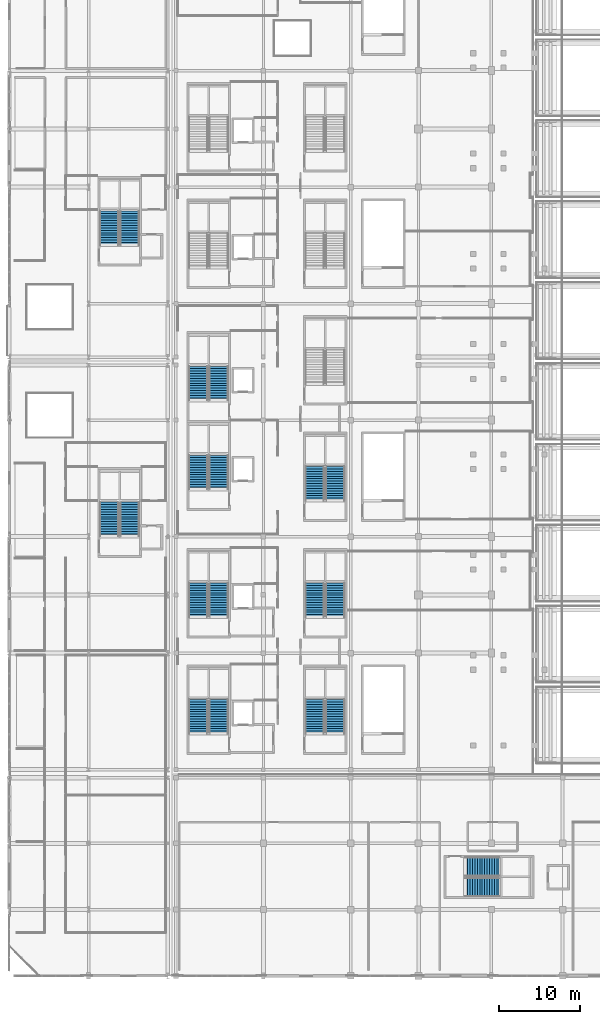
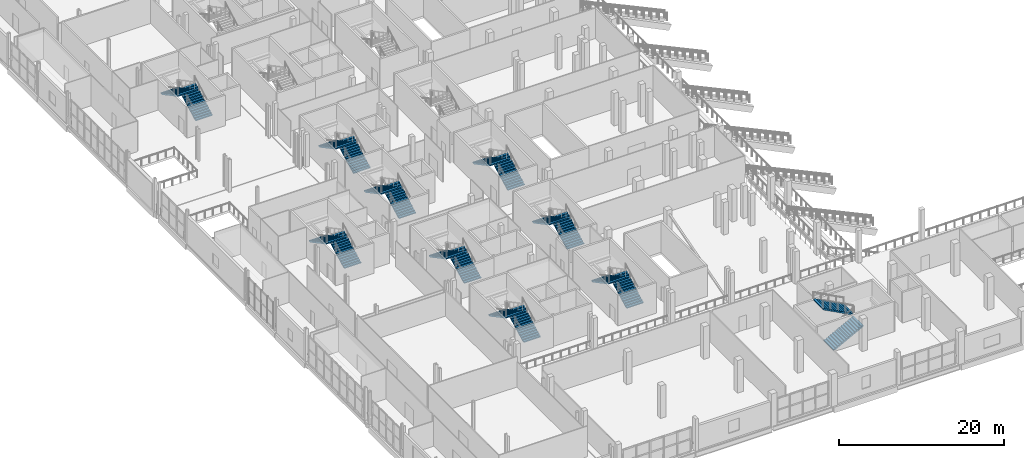
# One storey, part 89 of 129: 20 stair flights, 10 elements without a shape of their own.
"""IFC4 building model written with IfcOpenShell, lengths in metres."""

from ifc_helpers import new_model, si_unit, direction, frame, origin, place, context, subcontext, project, spatial, polyline, outline, extrude, material, type_object, element, aggregate, save


model = new_model("IFC4")

# Units and contexts
model_context = context("Model", 3, precision=1e-05, world=origin(), true_north=direction((0.0, 1.0)))
body_context = subcontext(model_context, "Body", "Model", "MODEL_VIEW")
ifc_project = project(units=[si_unit("LENGTHUNIT", "METRE"), si_unit("AREAUNIT", "SQUARE_METRE"), si_unit("VOLUMEUNIT", "CUBIC_METRE"), si_unit("PLANEANGLEUNIT", "RADIAN"), si_unit("MASSUNIT", "GRAM", prefix="KILO")], contexts=[model_context])

# Site, building, storey
site_placement = place(None, origin())
site = spatial("IfcSite", under=ifc_project, at=site_placement, CompositionType="ELEMENT")
building_placement = place(site_placement, origin())
building = spatial("IfcBuilding", under=site, at=building_placement, Name="Koshinbarg Plaza Stadium", CompositionType="ELEMENT")
storey_placement = place(building_placement, frame((0.0, 0.0, 5.39990234375)))
storey = spatial("IfcBuildingStorey", under=building, at=storey_placement, Name="L01", CompositionType="ELEMENT", Elevation=5.39990234375)

# Stair, stair flights
ifc_material = material(Name="Concrete C35/45", Category="concrete")
stair_type_1 = type_object("IfcStairType", Name="ST-CORE-48", PredefinedType="HALF_TURN_STAIR", material=ifc_material)
stair_1_placement = place(storey_placement, origin())
stair_1 = element("IfcStair", 1, at=stair_1_placement, inside=storey, type_object=stair_type_1, Name="L01 Protected Exit Stair C01", PredefinedType="HALF_TURN_STAIR")
stair_flight_type = type_object("IfcStairFlightType", Name="SFL-CORE-48", PredefinedType="STRAIGHT", material=ifc_material)
stair_flight_1_placement = place(storey_placement, frame((29.889892578125, 29.9599609375, 0.0), z_axis=(0.0, 0.0, 1.0), x_axis=(0.0, 1.0, 0.0)))
stair_flight_1 = element("IfcStairFlight", 2, at=stair_flight_1_placement, type_object=stair_flight_type, Name="L01 Protected Exit Stair C01 flight 003", NumberOfRisers=15, NumberOfTreads=14, PredefinedType="STRAIGHT", RiserHeight=0.16, TreadLength=0.3, context=body_context, shape_type="SweptSolid", body=[
    extrude(outline(polyline([(0.0, 0.0), (0.0, 0.159912109375), (0.300048828125, 0.159912109375), (0.300048828125, 0.320068359375), (0.60009765625, 0.320068359375), (0.60009765625, 0.47998046875), (0.89990234375, 0.47998046875), (0.89990234375, 0.639892578125), (1.199951171875, 0.639892578125), (1.199951171875, 0.800048828125), (1.5, 0.800048828125), (1.5, 0.9599609375), (1.800048828125, 0.9599609375), (1.800048828125, 1.1201171875), (2.10009765625, 1.1201171875), (2.10009765625, 1.280029296875), (2.39990234375, 1.280029296875), (2.39990234375, 1.43994140625), (2.699951171875, 1.43994140625), (2.699951171875, 1.60009765625), (3.0, 1.60009765625), (3.0, 1.760009765625), (3.300048828125, 1.760009765625), (3.300048828125, 1.919921875), (3.60009765625, 1.919921875), (3.60009765625, 2.080078125), (3.89990234375, 2.080078125), (3.89990234375, 2.239990234375), (4.199951171875, 2.239990234375), (4.199951171875, 2.39990234375), (4.199951171875, 2.070068359375), (0.318603515625, 0.0), (0.0, 0.0)])), frame((0.0, 1.18017578125, 0.0), z_axis=(0.0, -1.0, 0.0), x_axis=(1.0, 0.0, 0.0)), (0.0, 0.0, 1.0), 2.360107421875),
])
stair_flight_2_placement = place(storey_placement, frame((27.3798828125, 34.159912109375, 2.400146484375), z_axis=(0.0, 0.0, 1.0), x_axis=(0.0, -1.0, 0.0)))
stair_flight_2 = element("IfcStairFlight", 3, at=stair_flight_2_placement, type_object=stair_flight_type, Name="L01 Protected Exit Stair C01 flight 004", NumberOfRisers=15, NumberOfTreads=14, PredefinedType="STRAIGHT", RiserHeight=0.16, TreadLength=0.3, context=body_context, shape_type="SweptSolid", body=[
    extrude(outline(polyline([(0.0, 0.0), (0.0, 0.159912109375), (0.300048828125, 0.159912109375), (0.300048828125, 0.320068359375), (0.60009765625, 0.320068359375), (0.60009765625, 0.47998046875), (0.89990234375, 0.47998046875), (0.89990234375, 0.639892578125), (1.199951171875, 0.639892578125), (1.199951171875, 0.800048828125), (1.5, 0.800048828125), (1.5, 0.9599609375), (1.800048828125, 0.9599609375), (1.800048828125, 1.1201171875), (2.10009765625, 1.1201171875), (2.10009765625, 1.280029296875), (2.39990234375, 1.280029296875), (2.39990234375, 1.43994140625), (2.699951171875, 1.43994140625), (2.699951171875, 1.60009765625), (3.0, 1.60009765625), (3.0, 1.760009765625), (3.300048828125, 1.760009765625), (3.300048828125, 1.919921875), (3.60009765625, 1.919921875), (3.60009765625, 2.080078125), (3.89990234375, 2.080078125), (3.89990234375, 2.239990234375), (4.199951171875, 2.239990234375), (4.199951171875, 2.39990234375), (4.199951171875, 2.070068359375), (0.318603515625, 0.0), (0.0, 0.0)])), frame((0.0, 1.18017578125, 0.0), z_axis=(0.0, -1.0, 0.0), x_axis=(1.0, 0.0, 0.0)), (0.0, 0.0, 1.0), 2.360107421875),
])
aggregate(stair_1, [stair_flight_1, stair_flight_2])

stair_2_placement = place(storey_placement, origin())
stair_2 = element("IfcStair", 4, at=stair_2_placement, inside=storey, type_object=stair_type_1, Name="L01 Protected Exit Stair C02", PredefinedType="HALF_TURN_STAIR")
stair_flight_3_placement = place(storey_placement, frame((29.889892578125, 44.360107421875, 0.0), z_axis=(0.0, 0.0, 1.0), x_axis=(0.0, 1.0, 0.0)))
stair_flight_3 = element("IfcStairFlight", 5, at=stair_flight_3_placement, type_object=stair_flight_type, Name="L01 Protected Exit Stair C02 flight 015", NumberOfRisers=15, NumberOfTreads=14, PredefinedType="STRAIGHT", RiserHeight=0.16, TreadLength=0.3, context=body_context, shape_type="SweptSolid", body=[
    extrude(outline(polyline([(0.0, 0.0), (0.0, 0.159912109375), (0.300048828125, 0.159912109375), (0.300048828125, 0.320068359375), (0.60009765625, 0.320068359375), (0.60009765625, 0.47998046875), (0.89990234375, 0.47998046875), (0.89990234375, 0.639892578125), (1.199951171875, 0.639892578125), (1.199951171875, 0.800048828125), (1.5, 0.800048828125), (1.5, 0.9599609375), (1.800048828125, 0.9599609375), (1.800048828125, 1.1201171875), (2.10009765625, 1.1201171875), (2.10009765625, 1.280029296875), (2.39990234375, 1.280029296875), (2.39990234375, 1.43994140625), (2.699951171875, 1.43994140625), (2.699951171875, 1.60009765625), (3.0, 1.60009765625), (3.0, 1.760009765625), (3.300048828125, 1.760009765625), (3.300048828125, 1.919921875), (3.60009765625, 1.919921875), (3.60009765625, 2.080078125), (3.89990234375, 2.080078125), (3.89990234375, 2.239990234375), (4.199951171875, 2.239990234375), (4.199951171875, 2.39990234375), (4.199951171875, 2.070068359375), (0.318603515625, 0.0), (0.0, 0.0)])), frame((0.0, 1.18017578125, 0.0), z_axis=(0.0, -1.0, 0.0), x_axis=(1.0, 0.0, 0.0)), (0.0, 0.0, 1.0), 2.360107421875),
])
stair_flight_4_placement = place(storey_placement, frame((27.3798828125, 48.56005859375, 2.400146484375), z_axis=(0.0, 0.0, 1.0), x_axis=(0.0, -1.0, 0.0)))
stair_flight_4 = element("IfcStairFlight", 6, at=stair_flight_4_placement, type_object=stair_flight_type, Name="L01 Protected Exit Stair C02 flight 016", NumberOfRisers=15, NumberOfTreads=14, PredefinedType="STRAIGHT", RiserHeight=0.16, TreadLength=0.3, context=body_context, shape_type="SweptSolid", body=[
    extrude(outline(polyline([(0.0, 0.0), (0.0, 0.159912109375), (0.300048828125, 0.159912109375), (0.300048828125, 0.320068359375), (0.60009765625, 0.320068359375), (0.60009765625, 0.47998046875), (0.89990234375, 0.47998046875), (0.89990234375, 0.639892578125), (1.199951171875, 0.639892578125), (1.199951171875, 0.800048828125), (1.5, 0.800048828125), (1.5, 0.9599609375), (1.800048828125, 0.9599609375), (1.800048828125, 1.1201171875), (2.10009765625, 1.1201171875), (2.10009765625, 1.280029296875), (2.39990234375, 1.280029296875), (2.39990234375, 1.43994140625), (2.699951171875, 1.43994140625), (2.699951171875, 1.60009765625), (3.0, 1.60009765625), (3.0, 1.760009765625), (3.300048828125, 1.760009765625), (3.300048828125, 1.919921875), (3.60009765625, 1.919921875), (3.60009765625, 2.080078125), (3.89990234375, 2.080078125), (3.89990234375, 2.239990234375), (4.199951171875, 2.239990234375), (4.199951171875, 2.39990234375), (4.199951171875, 2.070068359375), (0.318603515625, 0.0), (0.0, 0.0)])), frame((0.0, 1.18017578125, 0.0), z_axis=(0.0, -1.0, 0.0), x_axis=(1.0, 0.0, 0.0)), (0.0, 0.0, 1.0), 2.360107421875),
])
aggregate(stair_2, [stair_flight_3, stair_flight_4])

stair_3_placement = place(storey_placement, origin())
stair_3 = element("IfcStair", 7, at=stair_3_placement, inside=storey, type_object=stair_type_1, Name="L01 Protected Exit Stair C03", PredefinedType="HALF_TURN_STAIR")
stair_flight_5_placement = place(storey_placement, frame((29.889892578125, 60.159912109375, 0.0), z_axis=(0.0, 0.0, 1.0), x_axis=(0.0, 1.0, 0.0)))
stair_flight_5 = element("IfcStairFlight", 8, at=stair_flight_5_placement, type_object=stair_flight_type, Name="L01 Protected Exit Stair C03 flight 027", NumberOfRisers=15, NumberOfTreads=14, PredefinedType="STRAIGHT", RiserHeight=0.16, TreadLength=0.3, context=body_context, shape_type="SweptSolid", body=[
    extrude(outline(polyline([(0.0, 0.0), (0.0, 0.159912109375), (0.300048828125, 0.159912109375), (0.300048828125, 0.320068359375), (0.60009765625, 0.320068359375), (0.60009765625, 0.47998046875), (0.89990234375, 0.47998046875), (0.89990234375, 0.639892578125), (1.199951171875, 0.639892578125), (1.199951171875, 0.800048828125), (1.5, 0.800048828125), (1.5, 0.9599609375), (1.800048828125, 0.9599609375), (1.800048828125, 1.1201171875), (2.10009765625, 1.1201171875), (2.10009765625, 1.280029296875), (2.39990234375, 1.280029296875), (2.39990234375, 1.43994140625), (2.699951171875, 1.43994140625), (2.699951171875, 1.60009765625), (3.0, 1.60009765625), (3.0, 1.760009765625), (3.300048828125, 1.760009765625), (3.300048828125, 1.919921875), (3.60009765625, 1.919921875), (3.60009765625, 2.080078125), (3.89990234375, 2.080078125), (3.89990234375, 2.239990234375), (4.199951171875, 2.239990234375), (4.199951171875, 2.39990234375), (4.199951171875, 2.070068359375), (0.318603515625, 0.0), (0.0, 0.0)])), frame((0.0, 1.18017578125, 0.0), z_axis=(0.0, -1.0, 0.0), x_axis=(1.0, 0.0, 0.0)), (0.0, 0.0, 1.0), 2.360107421875),
])
stair_flight_6_placement = place(storey_placement, frame((27.3798828125, 64.360107421875, 2.400146484375), z_axis=(0.0, 0.0, 1.0), x_axis=(0.0, -1.0, 0.0)))
stair_flight_6 = element("IfcStairFlight", 9, at=stair_flight_6_placement, type_object=stair_flight_type, Name="L01 Protected Exit Stair C03 flight 028", NumberOfRisers=15, NumberOfTreads=14, PredefinedType="STRAIGHT", RiserHeight=0.16, TreadLength=0.3, context=body_context, shape_type="SweptSolid", body=[
    extrude(outline(polyline([(0.0, 0.0), (0.0, 0.159912109375), (0.300048828125, 0.159912109375), (0.300048828125, 0.320068359375), (0.60009765625, 0.320068359375), (0.60009765625, 0.47998046875), (0.89990234375, 0.47998046875), (0.89990234375, 0.639892578125), (1.199951171875, 0.639892578125), (1.199951171875, 0.800048828125), (1.5, 0.800048828125), (1.5, 0.9599609375), (1.800048828125, 0.9599609375), (1.800048828125, 1.1201171875), (2.10009765625, 1.1201171875), (2.10009765625, 1.280029296875), (2.39990234375, 1.280029296875), (2.39990234375, 1.43994140625), (2.699951171875, 1.43994140625), (2.699951171875, 1.60009765625), (3.0, 1.60009765625), (3.0, 1.760009765625), (3.300048828125, 1.760009765625), (3.300048828125, 1.919921875), (3.60009765625, 1.919921875), (3.60009765625, 2.080078125), (3.89990234375, 2.080078125), (3.89990234375, 2.239990234375), (4.199951171875, 2.239990234375), (4.199951171875, 2.39990234375), (4.199951171875, 2.070068359375), (0.318603515625, 0.0), (0.0, 0.0)])), frame((0.0, 1.18017578125, 0.0), z_axis=(0.0, -1.0, 0.0), x_axis=(1.0, 0.0, 0.0)), (0.0, 0.0, 1.0), 2.360107421875),
])
aggregate(stair_3, [stair_flight_5, stair_flight_6])

stair_4_placement = place(storey_placement, origin())
stair_4 = element("IfcStair", 10, at=stair_4_placement, inside=storey, type_object=stair_type_1, Name="L01 Protected Exit Stair C04", PredefinedType="HALF_TURN_STAIR")
stair_flight_7_placement = place(storey_placement, frame((29.889892578125, 71.159912109375, 0.0), z_axis=(0.0, 0.0, 1.0), x_axis=(0.0, 1.0, 0.0)))
stair_flight_7 = element("IfcStairFlight", 11, at=stair_flight_7_placement, type_object=stair_flight_type, Name="L01 Protected Exit Stair C04 flight 039", NumberOfRisers=15, NumberOfTreads=14, PredefinedType="STRAIGHT", RiserHeight=0.16, TreadLength=0.3, context=body_context, shape_type="SweptSolid", body=[
    extrude(outline(polyline([(0.0, 0.0), (0.0, 0.159912109375), (0.300048828125, 0.159912109375), (0.300048828125, 0.320068359375), (0.60009765625, 0.320068359375), (0.60009765625, 0.47998046875), (0.89990234375, 0.47998046875), (0.89990234375, 0.639892578125), (1.199951171875, 0.639892578125), (1.199951171875, 0.800048828125), (1.5, 0.800048828125), (1.5, 0.9599609375), (1.800048828125, 0.9599609375), (1.800048828125, 1.1201171875), (2.10009765625, 1.1201171875), (2.10009765625, 1.280029296875), (2.39990234375, 1.280029296875), (2.39990234375, 1.43994140625), (2.699951171875, 1.43994140625), (2.699951171875, 1.60009765625), (3.0, 1.60009765625), (3.0, 1.760009765625), (3.300048828125, 1.760009765625), (3.300048828125, 1.919921875), (3.60009765625, 1.919921875), (3.60009765625, 2.080078125), (3.89990234375, 2.080078125), (3.89990234375, 2.239990234375), (4.199951171875, 2.239990234375), (4.199951171875, 2.39990234375), (4.199951171875, 2.070068359375), (0.318603515625, 0.0), (0.0, 0.0)])), frame((0.0, 1.18017578125, 0.0), z_axis=(0.0, -1.0, 0.0), x_axis=(1.0, 0.0, 0.0)), (0.0, 0.0, 1.0), 2.360107421875),
])
stair_flight_8_placement = place(storey_placement, frame((27.3798828125, 75.360107421875, 2.400146484375), z_axis=(0.0, 0.0, 1.0), x_axis=(0.0, -1.0, 0.0)))
stair_flight_8 = element("IfcStairFlight", 12, at=stair_flight_8_placement, type_object=stair_flight_type, Name="L01 Protected Exit Stair C04 flight 040", NumberOfRisers=15, NumberOfTreads=14, PredefinedType="STRAIGHT", RiserHeight=0.16, TreadLength=0.3, context=body_context, shape_type="SweptSolid", body=[
    extrude(outline(polyline([(0.0, 0.0), (0.0, 0.159912109375), (0.300048828125, 0.159912109375), (0.300048828125, 0.320068359375), (0.60009765625, 0.320068359375), (0.60009765625, 0.47998046875), (0.89990234375, 0.47998046875), (0.89990234375, 0.639892578125), (1.199951171875, 0.639892578125), (1.199951171875, 0.800048828125), (1.5, 0.800048828125), (1.5, 0.9599609375), (1.800048828125, 0.9599609375), (1.800048828125, 1.1201171875), (2.10009765625, 1.1201171875), (2.10009765625, 1.280029296875), (2.39990234375, 1.280029296875), (2.39990234375, 1.43994140625), (2.699951171875, 1.43994140625), (2.699951171875, 1.60009765625), (3.0, 1.60009765625), (3.0, 1.760009765625), (3.300048828125, 1.760009765625), (3.300048828125, 1.919921875), (3.60009765625, 1.919921875), (3.60009765625, 2.080078125), (3.89990234375, 2.080078125), (3.89990234375, 2.239990234375), (4.199951171875, 2.239990234375), (4.199951171875, 2.39990234375), (4.199951171875, 2.070068359375), (0.318603515625, 0.0), (0.0, 0.0)])), frame((0.0, 1.18017578125, 0.0), z_axis=(0.0, -1.0, 0.0), x_axis=(1.0, 0.0, 0.0)), (0.0, 0.0, 1.0), 2.360107421875),
])
aggregate(stair_4, [stair_flight_7, stair_flight_8])

stair_5_placement = place(storey_placement, origin())
stair_5 = element("IfcStair", 13, at=stair_5_placement, inside=storey, type_object=stair_type_1, Name="L01 Protected Exit Stair C13", PredefinedType="HALF_TURN_STAIR")
stair_flight_9_placement = place(storey_placement, frame((60.360107421875, 10.97998046875, 0.0), z_axis=(0.0, 0.0, 1.0), x_axis=(1.0, 0.0, 0.0)))
stair_flight_9 = element("IfcStairFlight", 14, at=stair_flight_9_placement, type_object=stair_flight_type, Name="L01 Protected Exit Stair C13 flight 127", NumberOfRisers=15, NumberOfTreads=14, PredefinedType="STRAIGHT", RiserHeight=0.16, TreadLength=0.3, context=body_context, shape_type="SweptSolid", body=[
    extrude(outline(polyline([(0.0, 0.0), (0.0, 0.159912109375), (0.300048828125, 0.159912109375), (0.300048828125, 0.320068359375), (0.60009765625, 0.320068359375), (0.60009765625, 0.47998046875), (0.89990234375, 0.47998046875), (0.89990234375, 0.639892578125), (1.199951171875, 0.639892578125), (1.199951171875, 0.800048828125), (1.5, 0.800048828125), (1.5, 0.9599609375), (1.800048828125, 0.9599609375), (1.800048828125, 1.1201171875), (2.10009765625, 1.1201171875), (2.10009765625, 1.280029296875), (2.39990234375, 1.280029296875), (2.39990234375, 1.43994140625), (2.699951171875, 1.43994140625), (2.699951171875, 1.60009765625), (3.0, 1.60009765625), (3.0, 1.760009765625), (3.300048828125, 1.760009765625), (3.300048828125, 1.919921875), (3.60009765625, 1.919921875), (3.60009765625, 2.080078125), (3.89990234375, 2.080078125), (3.89990234375, 2.239990234375), (4.199951171875, 2.239990234375), (4.199951171875, 2.39990234375), (4.199951171875, 2.070068359375), (0.318603515625, 0.0), (0.0, 0.0)])), frame((0.0, 1.18017578125, 0.0), z_axis=(0.0, -1.0, 0.0), x_axis=(1.0, 0.0, 0.0)), (0.0, 0.0, 1.0), 2.360107421875),
])
stair_flight_10_placement = place(storey_placement, frame((64.56005859375, 13.489990234375, 2.400146484375), z_axis=(0.0, 0.0, 1.0), x_axis=(-1.0, 0.0, 0.0)))
stair_flight_10 = element("IfcStairFlight", 15, at=stair_flight_10_placement, type_object=stair_flight_type, Name="L01 Protected Exit Stair C13 flight 128", NumberOfRisers=15, NumberOfTreads=14, PredefinedType="STRAIGHT", RiserHeight=0.16, TreadLength=0.3, context=body_context, shape_type="SweptSolid", body=[
    extrude(outline(polyline([(0.0, 0.0), (0.0, 0.159912109375), (0.300048828125, 0.159912109375), (0.300048828125, 0.320068359375), (0.60009765625, 0.320068359375), (0.60009765625, 0.47998046875), (0.89990234375, 0.47998046875), (0.89990234375, 0.639892578125), (1.199951171875, 0.639892578125), (1.199951171875, 0.800048828125), (1.5, 0.800048828125), (1.5, 0.9599609375), (1.800048828125, 0.9599609375), (1.800048828125, 1.1201171875), (2.10009765625, 1.1201171875), (2.10009765625, 1.280029296875), (2.39990234375, 1.280029296875), (2.39990234375, 1.43994140625), (2.699951171875, 1.43994140625), (2.699951171875, 1.60009765625), (3.0, 1.60009765625), (3.0, 1.760009765625), (3.300048828125, 1.760009765625), (3.300048828125, 1.919921875), (3.60009765625, 1.919921875), (3.60009765625, 2.080078125), (3.89990234375, 2.080078125), (3.89990234375, 2.239990234375), (4.199951171875, 2.239990234375), (4.199951171875, 2.39990234375), (4.199951171875, 2.070068359375), (0.318603515625, 0.0), (0.0, 0.0)])), frame((0.0, 1.18017578125, 0.0), z_axis=(0.0, -1.0, 0.0), x_axis=(1.0, 0.0, 0.0)), (0.0, 0.0, 1.0), 2.360107421875),
])
aggregate(stair_5, [stair_flight_9, stair_flight_10])

stair_6_placement = place(storey_placement, origin())
stair_6 = element("IfcStair", 16, at=stair_6_placement, inside=storey, type_object=stair_type_1, Name="L01 Protected Exit Stair C15", PredefinedType="HALF_TURN_STAIR")
stair_flight_11_placement = place(storey_placement, frame((18.889892578125, 90.360107421875, 0.0), z_axis=(0.0, 0.0, 1.0), x_axis=(0.0, 1.0, 0.0)))
stair_flight_11 = element("IfcStairFlight", 17, at=stair_flight_11_placement, type_object=stair_flight_type, Name="L01 Protected Exit Stair C15 flight 143", NumberOfRisers=15, NumberOfTreads=14, PredefinedType="STRAIGHT", RiserHeight=0.16, TreadLength=0.3, context=body_context, shape_type="SweptSolid", body=[
    extrude(outline(polyline([(0.0, 0.0), (0.0, 0.159912109375), (0.300048828125, 0.159912109375), (0.300048828125, 0.320068359375), (0.60009765625, 0.320068359375), (0.60009765625, 0.47998046875), (0.89990234375, 0.47998046875), (0.89990234375, 0.639892578125), (1.199951171875, 0.639892578125), (1.199951171875, 0.800048828125), (1.5, 0.800048828125), (1.5, 0.9599609375), (1.800048828125, 0.9599609375), (1.800048828125, 1.1201171875), (2.10009765625, 1.1201171875), (2.10009765625, 1.280029296875), (2.39990234375, 1.280029296875), (2.39990234375, 1.43994140625), (2.699951171875, 1.43994140625), (2.699951171875, 1.60009765625), (3.0, 1.60009765625), (3.0, 1.760009765625), (3.300048828125, 1.760009765625), (3.300048828125, 1.919921875), (3.60009765625, 1.919921875), (3.60009765625, 2.080078125), (3.89990234375, 2.080078125), (3.89990234375, 2.239990234375), (4.199951171875, 2.239990234375), (4.199951171875, 2.39990234375), (4.199951171875, 2.070068359375), (0.318603515625, 0.0), (0.0, 0.0)])), frame((0.0, 1.18017578125, 0.0), z_axis=(0.0, -1.0, 0.0), x_axis=(1.0, 0.0, 0.0)), (0.0, 0.0, 1.0), 2.360107421875),
])
stair_flight_12_placement = place(storey_placement, frame((16.3798828125, 94.56005859375, 2.400146484375), z_axis=(0.0, 0.0, 1.0), x_axis=(0.0, -1.0, 0.0)))
stair_flight_12 = element("IfcStairFlight", 18, at=stair_flight_12_placement, type_object=stair_flight_type, Name="L01 Protected Exit Stair C15 flight 144", NumberOfRisers=15, NumberOfTreads=14, PredefinedType="STRAIGHT", RiserHeight=0.16, TreadLength=0.3, context=body_context, shape_type="SweptSolid", body=[
    extrude(outline(polyline([(0.0, 0.0), (0.0, 0.159912109375), (0.300048828125, 0.159912109375), (0.300048828125, 0.320068359375), (0.60009765625, 0.320068359375), (0.60009765625, 0.47998046875), (0.89990234375, 0.47998046875), (0.89990234375, 0.639892578125), (1.199951171875, 0.639892578125), (1.199951171875, 0.800048828125), (1.5, 0.800048828125), (1.5, 0.9599609375), (1.800048828125, 0.9599609375), (1.800048828125, 1.1201171875), (2.10009765625, 1.1201171875), (2.10009765625, 1.280029296875), (2.39990234375, 1.280029296875), (2.39990234375, 1.43994140625), (2.699951171875, 1.43994140625), (2.699951171875, 1.60009765625), (3.0, 1.60009765625), (3.0, 1.760009765625), (3.300048828125, 1.760009765625), (3.300048828125, 1.919921875), (3.60009765625, 1.919921875), (3.60009765625, 2.080078125), (3.89990234375, 2.080078125), (3.89990234375, 2.239990234375), (4.199951171875, 2.239990234375), (4.199951171875, 2.39990234375), (4.199951171875, 2.070068359375), (0.318603515625, 0.0), (0.0, 0.0)])), frame((0.0, 1.18017578125, 0.0), z_axis=(0.0, -1.0, 0.0), x_axis=(1.0, 0.0, 0.0)), (0.0, 0.0, 1.0), 2.360107421875),
])
aggregate(stair_6, [stair_flight_11, stair_flight_12])

stair_7_placement = place(storey_placement, origin())
stair_7 = element("IfcStair", 19, at=stair_7_placement, inside=storey, type_object=stair_type_1, Name="L01 Protected Exit Stair C16", PredefinedType="HALF_TURN_STAIR")
stair_flight_13_placement = place(storey_placement, frame((18.889892578125, 54.360107421875, 0.0), z_axis=(0.0, 0.0, 1.0), x_axis=(0.0, 1.0, 0.0)))
stair_flight_13 = element("IfcStairFlight", 20, at=stair_flight_13_placement, type_object=stair_flight_type, Name="L01 Protected Exit Stair C16 flight 147", NumberOfRisers=15, NumberOfTreads=14, PredefinedType="STRAIGHT", RiserHeight=0.16, TreadLength=0.3, context=body_context, shape_type="SweptSolid", body=[
    extrude(outline(polyline([(0.0, 0.0), (0.0, 0.159912109375), (0.300048828125, 0.159912109375), (0.300048828125, 0.320068359375), (0.60009765625, 0.320068359375), (0.60009765625, 0.47998046875), (0.89990234375, 0.47998046875), (0.89990234375, 0.639892578125), (1.199951171875, 0.639892578125), (1.199951171875, 0.800048828125), (1.5, 0.800048828125), (1.5, 0.9599609375), (1.800048828125, 0.9599609375), (1.800048828125, 1.1201171875), (2.10009765625, 1.1201171875), (2.10009765625, 1.280029296875), (2.39990234375, 1.280029296875), (2.39990234375, 1.43994140625), (2.699951171875, 1.43994140625), (2.699951171875, 1.60009765625), (3.0, 1.60009765625), (3.0, 1.760009765625), (3.300048828125, 1.760009765625), (3.300048828125, 1.919921875), (3.60009765625, 1.919921875), (3.60009765625, 2.080078125), (3.89990234375, 2.080078125), (3.89990234375, 2.239990234375), (4.199951171875, 2.239990234375), (4.199951171875, 2.39990234375), (4.199951171875, 2.070068359375), (0.318603515625, 0.0), (0.0, 0.0)])), frame((0.0, 1.18017578125, 0.0), z_axis=(0.0, -1.0, 0.0), x_axis=(1.0, 0.0, 0.0)), (0.0, 0.0, 1.0), 2.360107421875),
])
stair_flight_14_placement = place(storey_placement, frame((16.3798828125, 58.56005859375, 2.400146484375), z_axis=(0.0, 0.0, 1.0), x_axis=(0.0, -1.0, 0.0)))
stair_flight_14 = element("IfcStairFlight", 21, at=stair_flight_14_placement, type_object=stair_flight_type, Name="L01 Protected Exit Stair C16 flight 148", NumberOfRisers=15, NumberOfTreads=14, PredefinedType="STRAIGHT", RiserHeight=0.16, TreadLength=0.3, context=body_context, shape_type="SweptSolid", body=[
    extrude(outline(polyline([(0.0, 0.0), (0.0, 0.159912109375), (0.300048828125, 0.159912109375), (0.300048828125, 0.320068359375), (0.60009765625, 0.320068359375), (0.60009765625, 0.47998046875), (0.89990234375, 0.47998046875), (0.89990234375, 0.639892578125), (1.199951171875, 0.639892578125), (1.199951171875, 0.800048828125), (1.5, 0.800048828125), (1.5, 0.9599609375), (1.800048828125, 0.9599609375), (1.800048828125, 1.1201171875), (2.10009765625, 1.1201171875), (2.10009765625, 1.280029296875), (2.39990234375, 1.280029296875), (2.39990234375, 1.43994140625), (2.699951171875, 1.43994140625), (2.699951171875, 1.60009765625), (3.0, 1.60009765625), (3.0, 1.760009765625), (3.300048828125, 1.760009765625), (3.300048828125, 1.919921875), (3.60009765625, 1.919921875), (3.60009765625, 2.080078125), (3.89990234375, 2.080078125), (3.89990234375, 2.239990234375), (4.199951171875, 2.239990234375), (4.199951171875, 2.39990234375), (4.199951171875, 2.070068359375), (0.318603515625, 0.0), (0.0, 0.0)])), frame((0.0, 1.18017578125, 0.0), z_axis=(0.0, -1.0, 0.0), x_axis=(1.0, 0.0, 0.0)), (0.0, 0.0, 1.0), 2.360107421875),
])
aggregate(stair_7, [stair_flight_13, stair_flight_14])

stair_type_2 = type_object("IfcStairType", Name="ST-VOM-48", PredefinedType="HALF_TURN_STAIR", material=ifc_material)
stair_8_placement = place(storey_placement, origin())
stair_8 = element("IfcStair", 22, at=stair_8_placement, inside=storey, type_object=stair_type_2, Name="L01 Upper Vomitory Stair VX01", PredefinedType="HALF_TURN_STAIR")
stair_flight_15_placement = place(storey_placement, frame((44.2900390625, 29.9599609375, 0.0), z_axis=(0.0, 0.0, 1.0), x_axis=(0.0, 1.0, 0.0)))
stair_flight_15 = element("IfcStairFlight", 23, at=stair_flight_15_placement, type_object=stair_flight_type, Name="L01 Upper Vomitory Stair VX01 flight 151", NumberOfRisers=15, NumberOfTreads=14, PredefinedType="STRAIGHT", RiserHeight=0.16, TreadLength=0.3, context=body_context, shape_type="SweptSolid", body=[
    extrude(outline(polyline([(0.0, 0.0), (0.0, 0.159912109375), (0.300048828125, 0.159912109375), (0.300048828125, 0.320068359375), (0.60009765625, 0.320068359375), (0.60009765625, 0.47998046875), (0.89990234375, 0.47998046875), (0.89990234375, 0.639892578125), (1.199951171875, 0.639892578125), (1.199951171875, 0.800048828125), (1.5, 0.800048828125), (1.5, 0.9599609375), (1.800048828125, 0.9599609375), (1.800048828125, 1.1201171875), (2.10009765625, 1.1201171875), (2.10009765625, 1.280029296875), (2.39990234375, 1.280029296875), (2.39990234375, 1.43994140625), (2.699951171875, 1.43994140625), (2.699951171875, 1.60009765625), (3.0, 1.60009765625), (3.0, 1.760009765625), (3.300048828125, 1.760009765625), (3.300048828125, 1.919921875), (3.60009765625, 1.919921875), (3.60009765625, 2.080078125), (3.89990234375, 2.080078125), (3.89990234375, 2.239990234375), (4.199951171875, 2.239990234375), (4.199951171875, 2.39990234375), (4.199951171875, 2.070068359375), (0.318603515625, 0.0), (0.0, 0.0)])), frame((0.0, 1.18017578125, 0.0), z_axis=(0.0, -1.0, 0.0), x_axis=(1.0, 0.0, 0.0)), (0.0, 0.0, 1.0), 2.360107421875),
])
stair_flight_16_placement = place(storey_placement, frame((41.780029296875, 34.159912109375, 2.400146484375), z_axis=(0.0, 0.0, 1.0), x_axis=(0.0, -1.0, 0.0)))
stair_flight_16 = element("IfcStairFlight", 24, at=stair_flight_16_placement, type_object=stair_flight_type, Name="L01 Upper Vomitory Stair VX01 flight 152", NumberOfRisers=15, NumberOfTreads=14, PredefinedType="STRAIGHT", RiserHeight=0.16, TreadLength=0.3, context=body_context, shape_type="SweptSolid", body=[
    extrude(outline(polyline([(0.0, 0.0), (0.0, 0.159912109375), (0.300048828125, 0.159912109375), (0.300048828125, 0.320068359375), (0.60009765625, 0.320068359375), (0.60009765625, 0.47998046875), (0.89990234375, 0.47998046875), (0.89990234375, 0.639892578125), (1.199951171875, 0.639892578125), (1.199951171875, 0.800048828125), (1.5, 0.800048828125), (1.5, 0.9599609375), (1.800048828125, 0.9599609375), (1.800048828125, 1.1201171875), (2.10009765625, 1.1201171875), (2.10009765625, 1.280029296875), (2.39990234375, 1.280029296875), (2.39990234375, 1.43994140625), (2.699951171875, 1.43994140625), (2.699951171875, 1.60009765625), (3.0, 1.60009765625), (3.0, 1.760009765625), (3.300048828125, 1.760009765625), (3.300048828125, 1.919921875), (3.60009765625, 1.919921875), (3.60009765625, 2.080078125), (3.89990234375, 2.080078125), (3.89990234375, 2.239990234375), (4.199951171875, 2.239990234375), (4.199951171875, 2.39990234375), (4.199951171875, 2.070068359375), (0.318603515625, 0.0), (0.0, 0.0)])), frame((0.0, 1.18017578125, 0.0), z_axis=(0.0, -1.0, 0.0), x_axis=(1.0, 0.0, 0.0)), (0.0, 0.0, 1.0), 2.360107421875),
])
aggregate(stair_8, [stair_flight_15, stair_flight_16])

stair_9_placement = place(storey_placement, origin())
stair_9 = element("IfcStair", 25, at=stair_9_placement, inside=storey, type_object=stair_type_2, Name="L01 Upper Vomitory Stair VX02", PredefinedType="HALF_TURN_STAIR")
stair_flight_17_placement = place(storey_placement, frame((44.2900390625, 44.360107421875, 0.0), z_axis=(0.0, 0.0, 1.0), x_axis=(0.0, 1.0, 0.0)))
stair_flight_17 = element("IfcStairFlight", 26, at=stair_flight_17_placement, type_object=stair_flight_type, Name="L01 Upper Vomitory Stair VX02 flight 157", NumberOfRisers=15, NumberOfTreads=14, PredefinedType="STRAIGHT", RiserHeight=0.16, TreadLength=0.3, context=body_context, shape_type="SweptSolid", body=[
    extrude(outline(polyline([(0.0, 0.0), (0.0, 0.159912109375), (0.300048828125, 0.159912109375), (0.300048828125, 0.320068359375), (0.60009765625, 0.320068359375), (0.60009765625, 0.47998046875), (0.89990234375, 0.47998046875), (0.89990234375, 0.639892578125), (1.199951171875, 0.639892578125), (1.199951171875, 0.800048828125), (1.5, 0.800048828125), (1.5, 0.9599609375), (1.800048828125, 0.9599609375), (1.800048828125, 1.1201171875), (2.10009765625, 1.1201171875), (2.10009765625, 1.280029296875), (2.39990234375, 1.280029296875), (2.39990234375, 1.43994140625), (2.699951171875, 1.43994140625), (2.699951171875, 1.60009765625), (3.0, 1.60009765625), (3.0, 1.760009765625), (3.300048828125, 1.760009765625), (3.300048828125, 1.919921875), (3.60009765625, 1.919921875), (3.60009765625, 2.080078125), (3.89990234375, 2.080078125), (3.89990234375, 2.239990234375), (4.199951171875, 2.239990234375), (4.199951171875, 2.39990234375), (4.199951171875, 2.070068359375), (0.318603515625, 0.0), (0.0, 0.0)])), frame((0.0, 1.18017578125, 0.0), z_axis=(0.0, -1.0, 0.0), x_axis=(1.0, 0.0, 0.0)), (0.0, 0.0, 1.0), 2.360107421875),
])
stair_flight_18_placement = place(storey_placement, frame((41.780029296875, 48.56005859375, 2.400146484375), z_axis=(0.0, 0.0, 1.0), x_axis=(0.0, -1.0, 0.0)))
stair_flight_18 = element("IfcStairFlight", 27, at=stair_flight_18_placement, type_object=stair_flight_type, Name="L01 Upper Vomitory Stair VX02 flight 158", NumberOfRisers=15, NumberOfTreads=14, PredefinedType="STRAIGHT", RiserHeight=0.16, TreadLength=0.3, context=body_context, shape_type="SweptSolid", body=[
    extrude(outline(polyline([(0.0, 0.0), (0.0, 0.159912109375), (0.300048828125, 0.159912109375), (0.300048828125, 0.320068359375), (0.60009765625, 0.320068359375), (0.60009765625, 0.47998046875), (0.89990234375, 0.47998046875), (0.89990234375, 0.639892578125), (1.199951171875, 0.639892578125), (1.199951171875, 0.800048828125), (1.5, 0.800048828125), (1.5, 0.9599609375), (1.800048828125, 0.9599609375), (1.800048828125, 1.1201171875), (2.10009765625, 1.1201171875), (2.10009765625, 1.280029296875), (2.39990234375, 1.280029296875), (2.39990234375, 1.43994140625), (2.699951171875, 1.43994140625), (2.699951171875, 1.60009765625), (3.0, 1.60009765625), (3.0, 1.760009765625), (3.300048828125, 1.760009765625), (3.300048828125, 1.919921875), (3.60009765625, 1.919921875), (3.60009765625, 2.080078125), (3.89990234375, 2.080078125), (3.89990234375, 2.239990234375), (4.199951171875, 2.239990234375), (4.199951171875, 2.39990234375), (4.199951171875, 2.070068359375), (0.318603515625, 0.0), (0.0, 0.0)])), frame((0.0, 1.18017578125, 0.0), z_axis=(0.0, -1.0, 0.0), x_axis=(1.0, 0.0, 0.0)), (0.0, 0.0, 1.0), 2.360107421875),
])
aggregate(stair_9, [stair_flight_17, stair_flight_18])

stair_10_placement = place(storey_placement, origin())
stair_10 = element("IfcStair", 28, at=stair_10_placement, inside=storey, type_object=stair_type_2, Name="L01 Upper Vomitory Stair VX03", PredefinedType="HALF_TURN_STAIR")
stair_flight_19_placement = place(storey_placement, frame((44.2900390625, 58.760009765625, 0.0), z_axis=(0.0, 0.0, 1.0), x_axis=(0.0, 1.0, 0.0)))
stair_flight_19 = element("IfcStairFlight", 29, at=stair_flight_19_placement, type_object=stair_flight_type, Name="L01 Upper Vomitory Stair VX03 flight 163", NumberOfRisers=15, NumberOfTreads=14, PredefinedType="STRAIGHT", RiserHeight=0.16, TreadLength=0.3, context=body_context, shape_type="SweptSolid", body=[
    extrude(outline(polyline([(0.0, 0.0), (0.0, 0.159912109375), (0.300048828125, 0.159912109375), (0.300048828125, 0.320068359375), (0.60009765625, 0.320068359375), (0.60009765625, 0.47998046875), (0.89990234375, 0.47998046875), (0.89990234375, 0.639892578125), (1.199951171875, 0.639892578125), (1.199951171875, 0.800048828125), (1.5, 0.800048828125), (1.5, 0.9599609375), (1.800048828125, 0.9599609375), (1.800048828125, 1.1201171875), (2.10009765625, 1.1201171875), (2.10009765625, 1.280029296875), (2.39990234375, 1.280029296875), (2.39990234375, 1.43994140625), (2.699951171875, 1.43994140625), (2.699951171875, 1.60009765625), (3.0, 1.60009765625), (3.0, 1.760009765625), (3.300048828125, 1.760009765625), (3.300048828125, 1.919921875), (3.60009765625, 1.919921875), (3.60009765625, 2.080078125), (3.89990234375, 2.080078125), (3.89990234375, 2.239990234375), (4.199951171875, 2.239990234375), (4.199951171875, 2.39990234375), (4.199951171875, 2.070068359375), (0.318603515625, 0.0), (0.0, 0.0)])), frame((0.0, 1.18017578125, 0.0), z_axis=(0.0, -1.0, 0.0), x_axis=(1.0, 0.0, 0.0)), (0.0, 0.0, 1.0), 2.360107421875),
])
stair_flight_20_placement = place(storey_placement, frame((41.780029296875, 62.9599609375, 2.400146484375), z_axis=(0.0, 0.0, 1.0), x_axis=(0.0, -1.0, 0.0)))
stair_flight_20 = element("IfcStairFlight", 30, at=stair_flight_20_placement, type_object=stair_flight_type, Name="L01 Upper Vomitory Stair VX03 flight 164", NumberOfRisers=15, NumberOfTreads=14, PredefinedType="STRAIGHT", RiserHeight=0.16, TreadLength=0.3, context=body_context, shape_type="SweptSolid", body=[
    extrude(outline(polyline([(0.0, 0.0), (0.0, 0.159912109375), (0.300048828125, 0.159912109375), (0.300048828125, 0.320068359375), (0.60009765625, 0.320068359375), (0.60009765625, 0.47998046875), (0.89990234375, 0.47998046875), (0.89990234375, 0.639892578125), (1.199951171875, 0.639892578125), (1.199951171875, 0.800048828125), (1.5, 0.800048828125), (1.5, 0.9599609375), (1.800048828125, 0.9599609375), (1.800048828125, 1.1201171875), (2.10009765625, 1.1201171875), (2.10009765625, 1.280029296875), (2.39990234375, 1.280029296875), (2.39990234375, 1.43994140625), (2.699951171875, 1.43994140625), (2.699951171875, 1.60009765625), (3.0, 1.60009765625), (3.0, 1.760009765625), (3.300048828125, 1.760009765625), (3.300048828125, 1.919921875), (3.60009765625, 1.919921875), (3.60009765625, 2.080078125), (3.89990234375, 2.080078125), (3.89990234375, 2.239990234375), (4.199951171875, 2.239990234375), (4.199951171875, 2.39990234375), (4.199951171875, 2.070068359375), (0.318603515625, 0.0), (0.0, 0.0)])), frame((0.0, 1.18017578125, 0.0), z_axis=(0.0, -1.0, 0.0), x_axis=(1.0, 0.0, 0.0)), (0.0, 0.0, 1.0), 2.360107421875),
])
aggregate(stair_10, [stair_flight_19, stair_flight_20])

save(model, "model.ifc")
